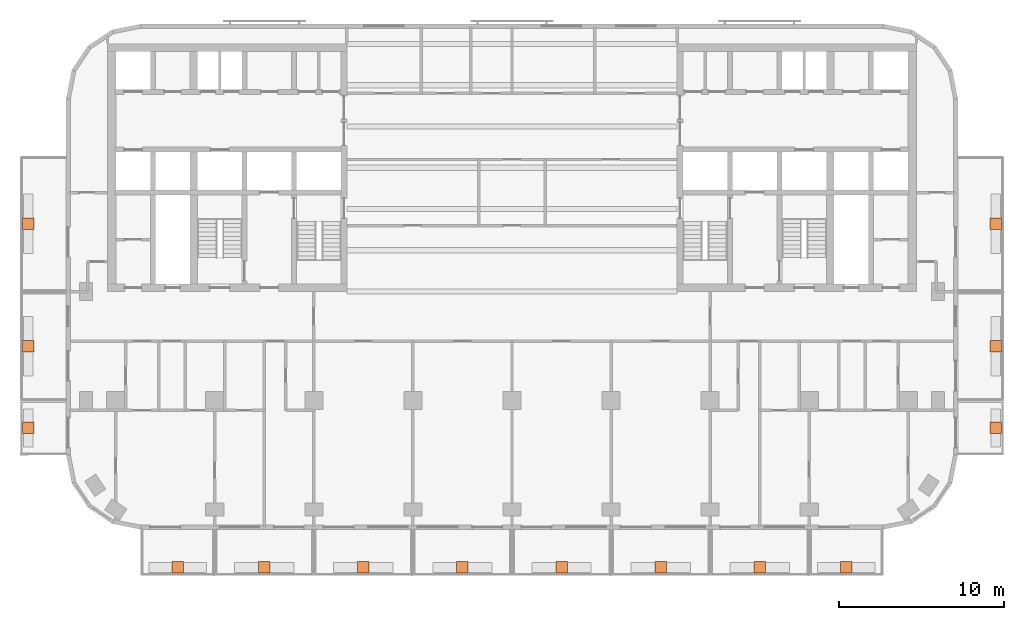
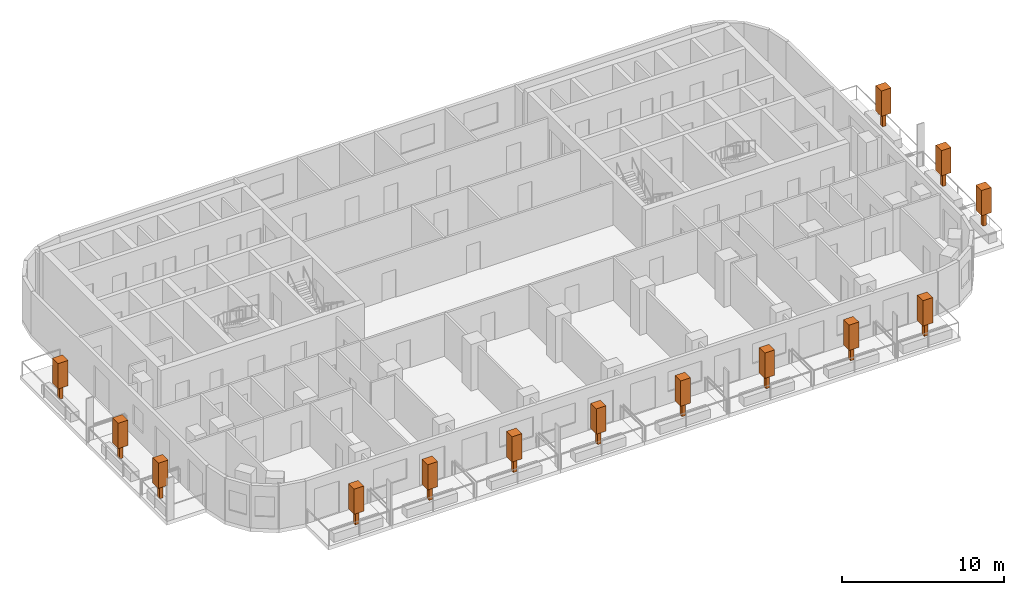
# One storey, part 12 of 12: 14 geographic elements.
"""IFC4 building model written with IfcOpenShell, lengths in metres."""

from ifc_helpers import new_model, si_unit, direction, frame, origin, origin_2d, place, context, subcontext, project, spatial, rectangle, extrude, material, element, save


model = new_model("IFC4")

# Units and contexts
model_context = context("Model", 3, precision=1e-05, world=origin(), true_north=direction((0.0, 1.0)))
body_context = subcontext(model_context, "Body", "Model", "MODEL_VIEW")
ifc_project = project(units=[si_unit("LENGTHUNIT", "METRE"), si_unit("AREAUNIT", "SQUARE_METRE"), si_unit("VOLUMEUNIT", "CUBIC_METRE"), si_unit("PLANEANGLEUNIT", "RADIAN"), si_unit("MASSUNIT", "GRAM", prefix="KILO")], contexts=[model_context])

# Site, building, storey
site_placement = place(None, origin())
site = spatial("IfcSite", under=ifc_project, at=site_placement, CompositionType="ELEMENT")
building_placement = place(site_placement, origin())
building = spatial("IfcBuilding", under=site, at=building_placement, Name="Torana Hotel and Residences", CompositionType="ELEMENT")
storey_placement = place(building_placement, frame((0.0, 0.0, 201.10009765625)))
storey = spatial("IfcBuildingStorey", under=building, at=storey_placement, Name="L52", CompositionType="ELEMENT", Elevation=201.10009765625)

# Geographic elements
ifc_material = material(Name="Foliage", Category="planting")
for number, where, z_axis, x_axis, name in (
    (1, (-20.25, -31.699951171875, 0.64990234375), (0.0, 0.0, 1.0), (1.0, 0.0, 0.0), "Tree 01"),
    (2, (-15.0, -31.699951171875, 0.64990234375), (0.0, 0.0, 1.0), (1.0, 0.0, 0.0), "Tree 02"),
    (3, (-9.0, -31.699951171875, 0.64990234375), (0.0, 0.0, 1.0), (1.0, 0.0, 0.0), "Tree 03"),
    (4, (-3.0, -31.699951171875, 0.64990234375), (0.0, 0.0, 1.0), (1.0, 0.0, 0.0), "Tree 04"),
    (5, (3.0, -31.699951171875, 0.64990234375), (0.0, 0.0, 1.0), (1.0, 0.0, 0.0), "Tree 05"),
    (6, (9.0, -31.699951171875, 0.64990234375), (0.0, 0.0, 1.0), (1.0, 0.0, 0.0), "Tree 06"),
    (7, (15.0, -31.699951171875, 0.64990234375), (0.0, 0.0, 1.0), (1.0, 0.0, 0.0), "Tree 07"),
    (8, (20.25, -31.699951171875, 0.64990234375), (0.0, 0.0, 1.0), (1.0, 0.0, 0.0), "Tree 08"),
    (9, (-29.300048828125, -23.25, 0.64990234375), (0.0, 0.0, 1.0), (1.0, 0.0, 0.0), "Tree 09"),
    (10, (-29.300048828125, -18.300048828125, 0.64990234375), (0.0, 0.0, 1.0), (1.0, 0.0, 0.0), "Tree 10"),
    (11, (-29.300048828125, -10.89990234375, 0.64990234375), (0.0, 0.0, 1.0), (1.0, 0.0, 0.0), "Tree 11"),
    (12, (29.300048828125, -23.25, 0.64990234375), (0.0, 0.0, 1.0), (1.0, 0.0, 0.0), "Tree 12"),
    (13, (29.300048828125, -18.300048828125, 0.64990234375), (0.0, 0.0, 1.0), (1.0, 0.0, 0.0), "Tree 13"),
    (14, (29.300048828125, -10.89990234375, 0.64990234375), (0.0, 0.0, 1.0), (1.0, 0.0, 0.0), "Tree 14"),
):
    element("IfcGeographicElement", number, at=place(storey_placement, frame(where, z_axis=z_axis, x_axis=x_axis)), inside=storey, material=ifc_material, Name=name, ObjectType="TREE", PredefinedType="USERDEFINED", context=body_context, shape_type="SweptSolid", body=[
        extrude(rectangle(XDim=0.25, YDim=0.25, at=origin_2d()), origin(), (0.0, 0.0, 1.0), 1.0),
        extrude(rectangle(XDim=0.699951171875, YDim=0.699951171875, at=origin_2d()), frame((0.0, 0.0, 1.0)), (0.0, 0.0, 1.0), 1.89990234375),
    ])

save(model, "model.ifc")
